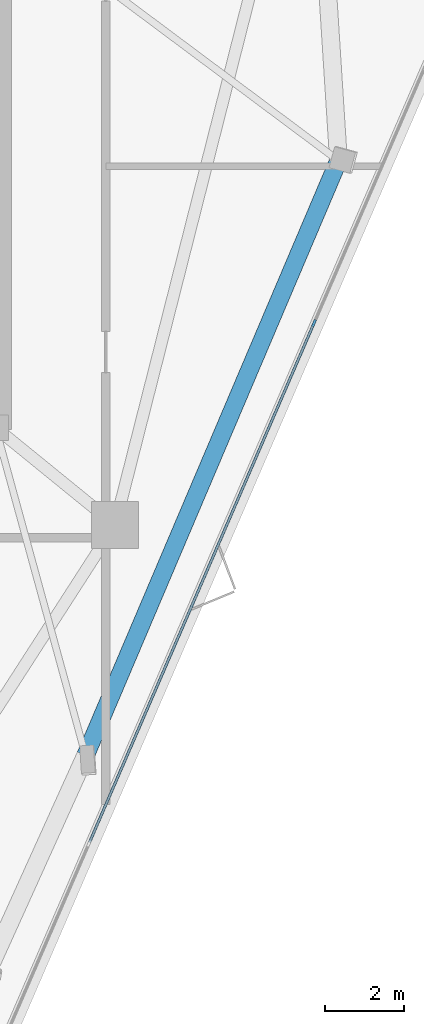
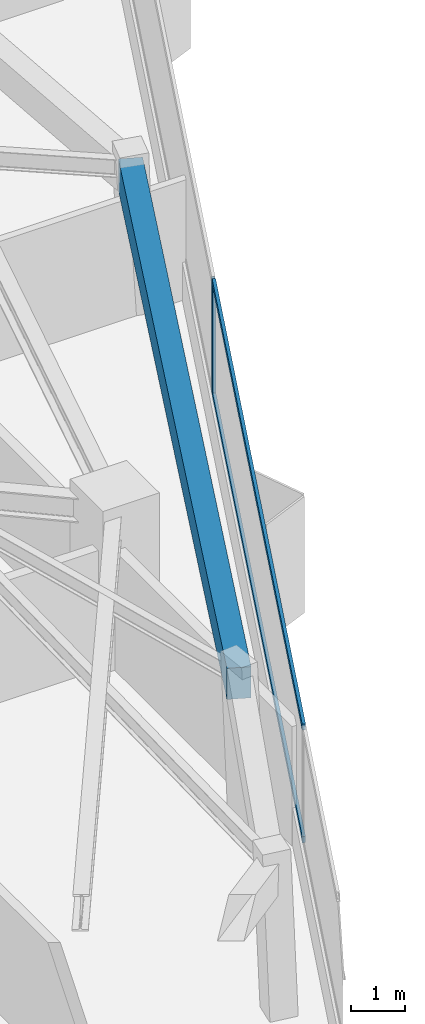
# One storey, part 4 of 12: 3 members, 1 beam, 1 element without a shape of its own.
"""IFC4 building model written with IfcOpenShell, lengths in metres."""

import ifcopenshell
import ifcopenshell.guid

model = None  # the IFC model being written
_history = None  # IfcOwnerHistory: only IFC2X3 demands one
_inside = {}  # id of a spatial element -> (the spatial element, [elements in it])
_under = {}  # id of a project, library or spatial element -> (it, [spatial elements below it])
_declared = {}  # id of a project -> (the project, [libraries it declares])
_typed = {}  # id of a type object -> (the type object, [elements of that type])
_made_of = {}  # id of a material, layer set ... -> (it, [elements and type objects made of it])


def new_model(schema):
    """Start an empty IFC model of exactly this schema.

    Asked for "IFC4X3", IfcOpenShell would pick the latest addendum, in which some entities
    have other attributes; the version numbers below select the first issue.
    IFC2X3 requires an IfcOwnerHistory on every rooted entity: one is made here for all.
    """
    global model, _history
    if schema == "IFC4X3":
        model = ifcopenshell.file(schema_version=(4, 3, 0, 0))
    else:
        model = ifcopenshell.file(schema=schema)
    _inside.clear()
    _under.clear()
    _declared.clear()
    _typed.clear()
    _made_of.clear()
    _history = None
    if model.schema == "IFC2X3":
        org = make("IfcOrganization", Name="unknown")
        user = make(
            "IfcPersonAndOrganization",
            ThePerson=make("IfcPerson", FamilyName="unknown"),
            TheOrganization=org,
        )
        app = make(
            "IfcApplication",
            ApplicationDeveloper=org,
            Version="unknown",
            ApplicationFullName="unknown",
            ApplicationIdentifier="unknown",
        )
        _history = make(
            "IfcOwnerHistory",
            OwningUser=user,
            OwningApplication=app,
            ChangeAction="ADDED",
            CreationDate=0,
        )
    return model


def make(cls, **values):
    """One entity of the class cls with the attributes given. An attribute that is None is left unset."""
    return model.create_entity(
        cls, **{name: value for name, value in values.items() if value is not None}
    )


def rooted(cls, **values):
    """An entity with a GlobalId (a new one), such as an element, a storey or a relation."""
    return make(cls, GlobalId=ifcopenshell.guid.new(), OwnerHistory=_history, **values)


def si_unit(unit_type, name, prefix=None):
    """IfcSIUnit, for example si_unit("LENGTHUNIT", "METRE", prefix="MILLI")."""
    return make("IfcSIUnit", UnitType=unit_type, Prefix=prefix, Name=name)


def assignment(units):
    """IfcUnitAssignment: the units of a project."""
    return None if units is None else make("IfcUnitAssignment", Units=units)


def point(xyz):
    """IfcCartesianPoint."""
    return None if xyz is None else make("IfcCartesianPoint", Coordinates=xyz)


def direction(xyz):
    """IfcDirection."""
    return None if xyz is None else make("IfcDirection", DirectionRatios=xyz)


def frame(location, z_axis=None, x_axis=None):
    """IfcAxis2Placement3D, a coordinate frame: its origin and axes. An axis left out is left unset."""
    return make(
        "IfcAxis2Placement3D",
        Location=point(location),
        Axis=direction(z_axis),
        RefDirection=direction(x_axis),
    )


def frame_2d(location, x_axis=None):
    """IfcAxis2Placement2D, a coordinate frame in the plane: its origin and x axis."""
    return make(
        "IfcAxis2Placement2D", Location=point(location), RefDirection=direction(x_axis)
    )


def origin():
    """The frame at (0, 0, 0) with its axes left unset."""
    return frame((0.0, 0.0, 0.0))


def origin_2d():
    """The frame at (0, 0) in the plane with its x axis left unset."""
    return frame_2d((0.0, 0.0))


def place(relative_to, where):
    """IfcLocalPlacement: puts the frame where relative to a parent placement (None: the world)."""
    return make(
        "IfcLocalPlacement", PlacementRelTo=relative_to, RelativePlacement=where
    )


def context(
    kind, dimensions, precision=None, world=None, true_north=None, identifier=None
):
    """IfcGeometricRepresentationContext, for example the 3D "Model" context."""
    return make(
        "IfcGeometricRepresentationContext",
        ContextIdentifier=identifier,
        ContextType=kind,
        CoordinateSpaceDimension=dimensions,
        Precision=precision,
        WorldCoordinateSystem=world,
        TrueNorth=true_north,
    )


def subcontext(parent, identifier, kind, view, scale=None):
    """IfcGeometricRepresentationSubContext, for example "Body" below "Model"."""
    return make(
        "IfcGeometricRepresentationSubContext",
        ContextIdentifier=identifier,
        ContextType=kind,
        ParentContext=parent,
        TargetScale=scale,
        TargetView=view,
    )


def project(units=None, contexts=None):
    """IfcProject with its units and contexts."""
    return rooted(
        "IfcProject",
        Name="project",
        RepresentationContexts=contexts,
        UnitsInContext=assignment(units),
    )


def spatial(cls, under=None, at=None, **own):
    """A site, building, storey or space (cls), placed at a placement, below another one or the project."""
    s = rooted(cls, ObjectPlacement=at, **own)
    if under is not None:
        _under.setdefault(under.id(), (under, []))[1].append(s)
    return s


def profile(cls, at=None, kind="AREA", **sizes):
    """A parametric profile (cls). Its sizes go by their IFC names, for example OverallWidth=200.0."""
    return make(cls, ProfileType=kind, Position=at, **sizes)


def rectangle(**sizes):
    """IfcRectangleProfileDef."""
    return profile("IfcRectangleProfileDef", **sizes)


def extrude(swept, where, along, depth):
    """IfcExtrudedAreaSolid: the profile swept, set in the frame where, extruded along a direction by depth."""
    return make(
        "IfcExtrudedAreaSolid",
        SweptArea=swept,
        Position=where,
        ExtrudedDirection=direction(along),
        Depth=depth,
    )


def shape(context_of_items, identifier, shape_type, items):
    """IfcShapeRepresentation: the items that make up one representation, for example the "Body"."""
    return make(
        "IfcShapeRepresentation",
        ContextOfItems=context_of_items,
        RepresentationIdentifier=identifier,
        RepresentationType=shape_type,
        Items=items,
    )


def material(Name=None, Category=None):
    """IfcMaterial."""
    return make("IfcMaterial", Name=Name, Category=Category)


def layer(
    of_material, thickness, ventilated=None, Name=None, Category=None, Priority=None
):
    """IfcMaterialLayer: one layer of a wall or slab, of a material (None: an air gap)."""
    return make(
        "IfcMaterialLayer",
        Material=of_material,
        LayerThickness=thickness,
        IsVentilated=ventilated,
        Name=Name,
        Category=Category,
        Priority=Priority,
    )


def layer_set(layers, Name=None):
    """IfcMaterialLayerSet."""
    return make("IfcMaterialLayerSet", MaterialLayers=layers, LayerSetName=Name)


def material_profile(
    of_material, cross_section, Name=None, Category=None, Priority=None
):
    """IfcMaterialProfile: a cross section and its material."""
    return make(
        "IfcMaterialProfile",
        Name=Name,
        Material=of_material,
        Profile=cross_section,
        Priority=Priority,
        Category=Category,
    )


def profile_set(profiles, Name=None, composite=None):
    """IfcMaterialProfileSet."""
    return make(
        "IfcMaterialProfileSet",
        Name=Name,
        MaterialProfiles=profiles,
        CompositeProfile=composite,
    )


def made_of(thing, what):
    """Note that an element or type object is made of a material, layer set ...; save() writes the relation."""
    if what is not None:
        _made_of.setdefault(what.id(), (what, []))[1].append(thing)
    return thing


def type_object(cls, material=None, **own):
    """A type object (cls), such as IfcWallType, which elements share."""
    return made_of(rooted(cls, **own), material)


def element(
    cls,
    number,
    at=None,
    inside=None,
    cuts=None,
    type_object=None,
    material=None,
    context=None,
    identifier="Body",
    shape_type=None,
    held_by="IfcProductDefinitionShape",
    body=None,
    shapes=None,
    **own,
):
    """One element of the class cls, such as IfcWall. Its Tag is "e" and its number.

    at: its placement. inside: the storey or other place that contains it. cuts: it is an
    opening in that element (IfcRelVoidsElement). A single representation is given by context,
    identifier, shape_type and body (its items); several are given by shapes. held_by: the class
    of the entity that holds the representations. save() writes the other relations.
    """
    e = rooted(cls, Tag="e%d" % number, ObjectPlacement=at, **own)
    if body is not None:
        shapes = [shape(context, identifier, shape_type, body)]
    if shapes is not None:
        e.Representation = make(held_by, Representations=shapes)
    if inside is not None:
        _inside.setdefault(inside.id(), (inside, []))[1].append(e)
    if cuts is not None:
        rooted(
            "IfcRelVoidsElement", RelatingBuildingElement=cuts, RelatedOpeningElement=e
        )
    if type_object is not None:
        _typed.setdefault(type_object.id(), (type_object, []))[1].append(e)
    return made_of(e, material)


def aggregate(whole, parts):
    """IfcRelAggregates: a whole, such as a stair, and the parts it consists of."""
    return rooted("IfcRelAggregates", RelatingObject=whole, RelatedObjects=parts)


def save(model, path):
    """Write the relations noted so far, then the file.

    IfcRelAggregates (storeys below a building ...), IfcRelContainedInSpatialStructure (elements
    in a storey), IfcRelDefinesByType, IfcRelAssociatesMaterial and IfcRelDeclares: one each for
    every whole, place, type object, material and project.
    """
    for whole, parts in _under.values():
        aggregate(whole, parts)
    for where, things in _inside.values():
        rooted(
            "IfcRelContainedInSpatialStructure",
            RelatedElements=things,
            RelatingStructure=where,
        )
    for kind, things in _typed.values():
        rooted("IfcRelDefinesByType", RelatedObjects=things, RelatingType=kind)
    for what, things in _made_of.values():
        rooted("IfcRelAssociatesMaterial", RelatedObjects=things, RelatingMaterial=what)
    for by, libraries in _declared.values():
        rooted("IfcRelDeclares", RelatingContext=by, RelatedDefinitions=libraries)
    model.write(path)


model = new_model("IFC4")

# Units and contexts
model_context = context("Model", 3, precision=1e-05, world=origin(), true_north=direction((0.0, 1.0)))
body_context = subcontext(model_context, "Body", "Model", "MODEL_VIEW")
ifc_project = project(units=[si_unit("LENGTHUNIT", "METRE"), si_unit("AREAUNIT", "SQUARE_METRE"), si_unit("VOLUMEUNIT", "CUBIC_METRE"), si_unit("PLANEANGLEUNIT", "RADIAN"), si_unit("MASSUNIT", "GRAM", prefix="KILO")], contexts=[model_context])

# Site, building, storey
site_placement = place(None, origin())
site = spatial("IfcSite", under=ifc_project, at=site_placement, CompositionType="ELEMENT")
building_placement = place(site_placement, origin())
building = spatial("IfcBuilding", under=site, at=building_placement, Name="Talyreon Biosciences Tower", CompositionType="ELEMENT")
storey_placement = place(building_placement, frame((0.0, 0.0, 268.10009765625)))
storey = spatial("IfcBuildingStorey", under=building, at=storey_placement, Name="L71", CompositionType="ELEMENT", Elevation=268.10009765625)

# Curtain wall, members
ifc_material_1 = material(Name="Thermally broken aluminium and low-E glazing", Category="aluminium")
ifc_layer = layer(ifc_material_1, 0.175048828125)
ifc_layer_set = layer_set([ifc_layer], Name="Thermally broken aluminium and low-E glazing")
curtain_wall_type = type_object("IfcCurtainWallType", Name="CurtainWall_Zone5CompLab", PredefinedType="NOTDEFINED", material=ifc_layer_set)
curtain_wall_placement = place(storey_placement, origin())
curtain_wall = element("IfcCurtainWall", 1, at=curtain_wall_placement, inside=storey, type_object=curtain_wall_type, Name="L71 Unitised Curtain Wall FCW-L71-08", PredefinedType="NOTDEFINED")
ifc_material_2 = material(Name="Anodised thermally broken aluminium", Category="aluminium")
ifc_material_profile_1 = material_profile(ifc_material_2, rectangle(XDim=0.06494140625, YDim=0.179931640625, at=origin_2d()), Name="ALUM MULLION 65x180")
ifc_profile_set_1 = profile_set([ifc_material_profile_1], Name="Anodised thermally broken aluminium")
member_type_1 = type_object("IfcMemberType", Name="CWMullion_65x180", PredefinedType="MULLION", material=ifc_profile_set_1)
member_1_placement = place(storey_placement, frame((82.148193359375, 64.013427734375, 0.809814453125), z_axis=(0.0, 0.0, 1.0), x_axis=(0.917867616895, -0.396886681377, 0.0)))
member_1 = element("IfcMember", 2, at=member_1_placement, type_object=member_type_1, Name="CW6 mullion 2", PredefinedType="MULLION", context=body_context, shape_type="SweptSolid", body=[
    extrude(rectangle(XDim=0.06494140625, YDim=0.179931640625, at=origin_2d()), origin(), (0.0, 0.0, 1.0), 2.590087890625),
])
ifc_material_profile_2 = material_profile(ifc_material_2, rectangle(XDim=0.06494140625, YDim=0.139892578125, at=origin_2d()), Name="ALUM TRANSOM 65x140")
ifc_profile_set_2 = profile_set([ifc_material_profile_2], Name="Anodised thermally broken aluminium")
member_type_2 = type_object("IfcMemberType", Name="CWTransom_65x140", PredefinedType="USERDEFINED", material=ifc_profile_set_2)
member_2_placement = place(storey_placement, frame((82.13525390625, 63.983642578125, 0.84228515625), z_axis=(-0.396880564948, -0.91787026162, 0.0), x_axis=(0.91787026162, -0.396880564948, 0.0)))
member_2 = element("IfcMember", 3, at=member_2_placement, type_object=member_type_2, Name="CW6 transom 2.1", ObjectType="TRANSOM", PredefinedType="USERDEFINED", context=body_context, shape_type="SweptSolid", body=[
    extrude(rectangle(XDim=0.06494140625, YDim=0.139892578125, at=origin_2d()), origin(), (0.0, 0.0, 1.0), 14.358154296875),
])
member_3_placement = place(storey_placement, frame((82.13525390625, 63.983642578125, 3.367431640625), z_axis=(-0.396880564948, -0.91787026162, 0.0), x_axis=(0.91787026162, -0.396880564948, 0.0)))
member_3 = element("IfcMember", 4, at=member_3_placement, type_object=member_type_2, Name="CW6 transom 2.2", ObjectType="TRANSOM", PredefinedType="USERDEFINED", context=body_context, shape_type="SweptSolid", body=[
    extrude(rectangle(XDim=0.06494140625, YDim=0.139892578125, at=origin_2d()), origin(), (0.0, 0.0, 1.0), 14.358154296875),
])
aggregate(curtain_wall, [member_1, member_2, member_3])

# Beam
ifc_material_3 = material(Name="Precast concrete C45/55", Category="concrete")
ifc_material_profile_3 = material_profile(ifc_material_3, rectangle(XDim=0.449951171875, YDim=0.699951171875, at=origin_2d()), Name="RCB 450x700")
ifc_profile_set_3 = profile_set([ifc_material_profile_3], Name="Precast concrete C45/55")
beam_type = type_object("IfcBeamType", Name="ExpressedSpandrel_450x700", PredefinedType="SPANDREL", material=ifc_profile_set_3)
beam_placement = place(storey_placement, frame((76.3349609375, 53.01318359375, 3.0498046875), z_axis=(0.391285262487, 0.920269440632, 0.0), x_axis=(-0.920269440632, 0.391285262487, 0.0)))
element("IfcBeam", 5, at=beam_placement, inside=storey, type_object=beam_type, Name="L71 Expressed Horizontal Concrete Spandrel 03", PredefinedType="SPANDREL", context=body_context, shape_type="SweptSolid", body=[
    extrude(rectangle(XDim=0.449951171875, YDim=0.699951171875, at=origin_2d()), origin(), (0.0, 0.0, 1.0), 16.44287109375),
])

save(model, "model.ifc")
